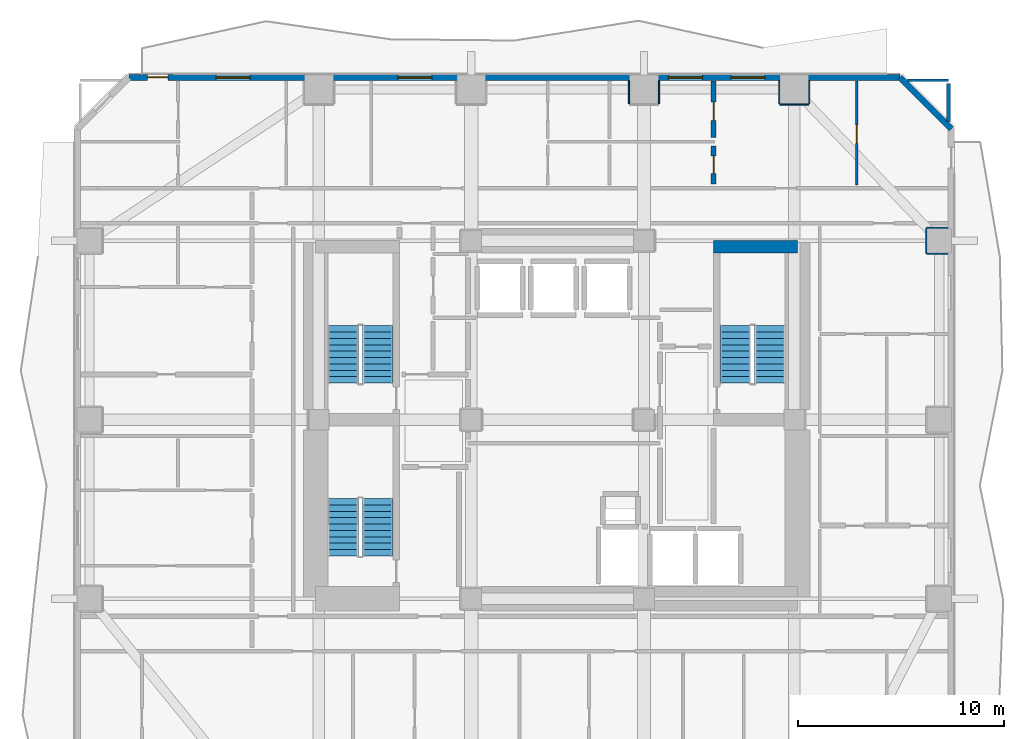
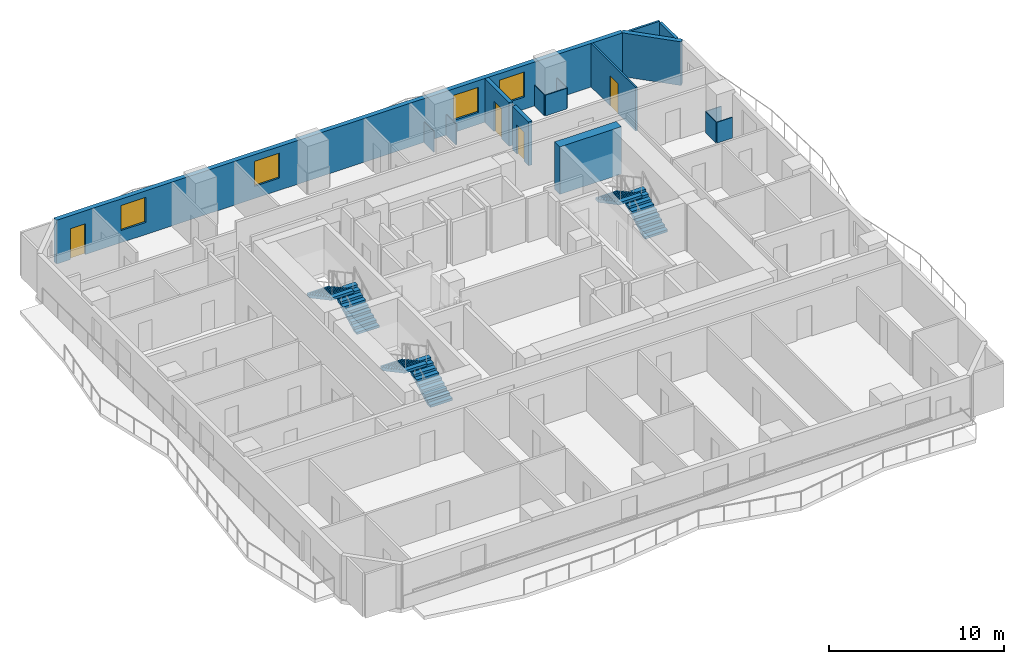
# One storey, part 7 of 11: 16 walls, 6 stair flights, 4 doors, 4 windows, 8 openings, 3 elements without a shape of their own.
"""IFC4 building model written with IfcOpenShell, lengths in metres."""

from ifc_helpers import new_model, si_unit, direction, frame, frame_2d, origin, place, context, subcontext, project, spatial, polyline, rectangle, outline, extrude, material, layer, layer_set, type_object, element, fill, aggregate, save


model = new_model("IFC4")

# Units and contexts
model_context = context("Model", 3, precision=1e-05, world=origin(), true_north=direction((0.0, 1.0)))
body_context = subcontext(model_context, "Body", "Model", "MODEL_VIEW")
ifc_project = project(units=[si_unit("LENGTHUNIT", "METRE"), si_unit("AREAUNIT", "SQUARE_METRE"), si_unit("VOLUMEUNIT", "CUBIC_METRE"), si_unit("PLANEANGLEUNIT", "RADIAN"), si_unit("MASSUNIT", "GRAM", prefix="KILO")], contexts=[model_context])

# Site, building, storey
site_placement = place(None, origin())
site = spatial("IfcSite", under=ifc_project, at=site_placement, CompositionType="ELEMENT")
building_placement = place(site_placement, origin())
building = spatial("IfcBuilding", under=site, at=building_placement, Name="Solanera Arch Residences", CompositionType="ELEMENT")
storey_placement = place(building_placement, frame((0.0, 0.0, 25.320068359375)))
storey = spatial("IfcBuildingStorey", under=building, at=storey_placement, Name="L06", CompositionType="ELEMENT", Elevation=25.320068359375)

# Walls
ifc_material_1 = material(Name="Fire-Rated Gypsum Stud Partition", Category="gypsum")
ifc_layer_1 = layer(ifc_material_1, 0.06005859375)
ifc_layer_set_1 = layer_set([ifc_layer_1], Name="Fire-Rated Gypsum Stud Partition")
wall_type_1 = type_object("IfcWallType", Name="Column Acoustic Furring Wall 60", PredefinedType="PARTITIONING", material=ifc_layer_set_1)
for number, where, z_axis, x_axis, name in (
    (1, (28.468017578125, 46.050048828125, 0.0), (0.0, 0.0, 1.0), (0.0, 1.0, 0.0), "L06 Column Furring 14W"),
    (2, (29.931884765625, 46.050048828125, 0.0), (0.0, 0.0, 1.0), (0.0, 1.0, 0.0), "L06 Column Furring 14E"),
):
    element("IfcWall", number, at=place(storey_placement, frame(where, z_axis=z_axis, x_axis=x_axis)), inside=storey, type_object=wall_type_1, Name=name, PredefinedType="PARTITIONING", context=body_context, shape_type="SweptSolid", body=[
        extrude(rectangle(XDim=1.119873046875, YDim=0.06005859375, at=frame_2d((0.56005859375, 0.0))), origin(), (0.0, 0.0, 1.0), 1.449951171875),
    ])
wall_1_placement = place(storey_placement, frame((35.800048828125, 46.01806640625, 0.0), z_axis=(0.0, 0.0, 1.0), x_axis=(1.0, 0.0, 0.0)))
element("IfcWall", 3, at=wall_1_placement, inside=storey, type_object=wall_type_1, Name="L06 Column Furring 16S", PredefinedType="PARTITIONING", context=body_context, shape_type="SweptSolid", body=[
    extrude(rectangle(XDim=1.39990234375, YDim=0.06005859375, at=frame_2d((0.699951171875, 0.0))), origin(), (0.0, 0.0, 1.0), 1.449951171875),
])
for number, where, z_axis, x_axis, name in (
    (4, (35.76806640625, 46.050048828125, 0.0), (0.0, 0.0, 1.0), (0.0, 1.0, 0.0), "L06 Column Furring 16W"),
    (5, (37.23193359375, 46.050048828125, 0.0), (0.0, 0.0, 1.0), (0.0, 1.0, 0.0), "L06 Column Furring 16E"),
):
    element("IfcWall", number, at=place(storey_placement, frame(where, z_axis=z_axis, x_axis=x_axis)), inside=storey, type_object=wall_type_1, Name=name, PredefinedType="PARTITIONING", context=body_context, shape_type="SweptSolid", body=[
        extrude(rectangle(XDim=1.119873046875, YDim=0.06005859375, at=frame_2d((0.56005859375, 0.0))), origin(), (0.0, 0.0, 1.0), 1.449951171875),
    ])
for number, where, z_axis, x_axis, name in (
    (6, (42.949951171875, 38.76806640625, 0.0), (0.0, 0.0, 1.0), (1.0, 0.0, 0.0), "L06 Column Furring 22S"),
    (7, (42.949951171875, 40.031982421875, 0.0), (0.0, 0.0, 1.0), (1.0, 0.0, 0.0), "L06 Column Furring 22N"),
):
    element("IfcWall", number, at=place(storey_placement, frame(where, z_axis=z_axis, x_axis=x_axis)), inside=storey, type_object=wall_type_1, Name=name, PredefinedType="PARTITIONING", context=body_context, shape_type="SweptSolid", body=[
        extrude(rectangle(XDim=1.02001953125, YDim=0.06005859375, at=frame_2d((0.510009765625, 0.0))), origin(), (0.0, 0.0, 1.0), 1.449951171875),
    ])
wall_2_placement = place(storey_placement, frame((42.91796875, 38.800048828125, 0.0), z_axis=(0.0, 0.0, 1.0), x_axis=(0.0, 1.0, 0.0)))
element("IfcWall", 8, at=wall_2_placement, inside=storey, type_object=wall_type_1, Name="L06 Column Furring 22W", PredefinedType="PARTITIONING", context=body_context, shape_type="SweptSolid", body=[
    extrude(rectangle(XDim=1.199951171875, YDim=0.06005859375, at=frame_2d((0.60009765625, 0.0))), origin(), (0.0, 0.0, 1.0), 1.449951171875),
])
ifc_material_2 = material(Name="Concrete C40/50 (f'c = 45 MPa)", Category="concrete")
ifc_layer_2 = layer(ifc_material_2, 0.60009765625)
ifc_layer_set_2 = layer_set([ifc_layer_2], Name="Concrete C40/50 (f'c = 45 MPa)")
wall_type_2 = type_object("IfcWallType", Name="Core Shear Wall CW-600", PredefinedType="SHEAR", material=ifc_layer_set_2)
wall_3_placement = place(storey_placement, frame((32.580078125, 39.10009765625, 0.0), z_axis=(0.0, 0.0, 1.0), x_axis=(1.0, 0.0, 0.0)))
element("IfcWall", 9, at=wall_3_placement, inside=storey, type_object=wall_type_2, Name="L06 North-East Core Shear Wall", PredefinedType="SHEAR", context=body_context, shape_type="SweptSolid", body=[
    extrude(rectangle(XDim=4.079833984375, YDim=0.60009765625, at=frame_2d((2.0400390625, 0.0))), origin(), (0.0, 0.0, 1.0), 3.31982421875),
])
ifc_material_3 = material(Name="Autoclaved Aerated Concrete Blockwork", Category="masonry")
ifc_layer_3 = layer(ifc_material_3, 0.179931640625)
ifc_layer_set_3 = layer_set([ifc_layer_3], Name="Autoclaved Aerated Concrete Blockwork")
wall_type_3 = type_object("IfcWallType", Name="Corridor Fire Partition 180", PredefinedType="PARTITIONING", material=ifc_layer_set_3)
wall_4_placement = place(storey_placement, frame((44.0, 45.198974609375, 0.0), z_axis=(0.0, 0.0, 1.0), x_axis=(0.0, 1.0, 0.0)))
element("IfcWall", 10, at=wall_4_placement, inside=storey, type_object=wall_type_3, Name="L06 Interior Partition V10 2", PredefinedType="PARTITIONING", context=body_context, shape_type="SweptSolid", body=[
    extrude(rectangle(XDim=1.8330078125, YDim=0.179931640625, at=frame_2d((0.91650390625, 0.0))), origin(), (0.0, 0.0, 1.0), 3.059814453125),
])

# Wall, openings, door, windows
ifc_material_4 = material(Name="Precast Concrete C35/45", Category="concrete")
ifc_layer_4 = layer(ifc_material_4, 0.300048828125)
ifc_layer_set_4 = layer_set([ifc_layer_4], Name="Precast Concrete C35/45")
wall_type_4 = type_object("IfcWallType", Name="Exterior Wall Precast Masonry-Frame 300", PredefinedType="STANDARD", material=ifc_layer_set_4)
wall_5_placement = place(storey_placement, frame((4.1650390625, 47.3349609375, 0.0), z_axis=(0.0, 0.0, 1.0), x_axis=(1.0, 0.0, 0.0)))
wall_5 = element("IfcWall", 11, at=wall_5_placement, inside=storey, type_object=wall_type_4, Name="L06 Tower Exterior Precast Masonry-Frame Wall N", PredefinedType="STANDARD", context=body_context, shape_type="SweptSolid", body=[
    extrude(rectangle(XDim=37.469970703125, YDim=0.300048828125, at=frame_2d((18.73486328125, 0.0))), origin(), (0.0, 0.0, 1.0), 3.059814453125),
])
opening_1_placement = place(wall_5_placement, frame((0.90087890625, 0.0, 0.0)))
opening_1 = element("IfcOpeningElement", 12, at=opening_1_placement, cuts=wall_5, Name="Opening DB-01", PredefinedType="OPENING", context=body_context, shape_type="SweptSolid", body=[
    extrude(rectangle(XDim=1.0, YDim=2.14990234375, at=frame_2d((0.5, 1.074951171875))), frame((0.0, 0.159912109375, 0.0), z_axis=(0.0, -1.0, 0.0), x_axis=(1.0, 0.0, 0.0)), (0.0, 0.0, 1.0), 0.32),
])
opening_2_placement = place(wall_5_placement, frame((4.242919921875, 0.0, 0.85009765625)))
opening_2 = element("IfcOpeningElement", 13, at=opening_2_placement, cuts=wall_5, Name="Opening W-08", PredefinedType="OPENING", context=body_context, shape_type="SweptSolid", body=[
    extrude(rectangle(XDim=1.64990234375, YDim=1.75, at=frame_2d((0.824951171875, 0.875))), frame((0.0, 0.159912109375, 0.0), z_axis=(0.0, -1.0, 0.0), x_axis=(1.0, 0.0, 0.0)), (0.0, 0.0, 1.0), 0.32),
])
opening_3_placement = place(wall_5_placement, frame((13.0791015625, 0.0, 0.85009765625)))
opening_3 = element("IfcOpeningElement", 14, at=opening_3_placement, cuts=wall_5, Name="Opening W-08", PredefinedType="OPENING", context=body_context, shape_type="SweptSolid", body=[
    extrude(rectangle(XDim=1.64990234375, YDim=1.75, at=frame_2d((0.824951171875, 0.875))), frame((0.0, 0.159912109375, 0.0), z_axis=(0.0, -1.0, 0.0), x_axis=(1.0, 0.0, 0.0)), (0.0, 0.0, 1.0), 0.32),
])
opening_4_placement = place(wall_5_placement, frame((29.27392578125, 0.0, 0.85009765625)))
opening_4 = element("IfcOpeningElement", 15, at=opening_4_placement, cuts=wall_5, Name="Opening W-08", PredefinedType="OPENING", context=body_context, shape_type="SweptSolid", body=[
    extrude(rectangle(XDim=1.64990234375, YDim=1.75, at=frame_2d((0.824951171875, 0.875))), frame((0.0, 0.159912109375, 0.0), z_axis=(0.0, -1.0, 0.0), x_axis=(1.0, 0.0, 0.0)), (0.0, 0.0, 1.0), 0.32),
])
opening_5_placement = place(wall_5_placement, frame((26.22412109375, 0.0, 0.85009765625)))
opening_5 = element("IfcOpeningElement", 16, at=opening_5_placement, cuts=wall_5, Name="Opening W-08", PredefinedType="OPENING", context=body_context, shape_type="SweptSolid", body=[
    extrude(rectangle(XDim=1.64990234375, YDim=1.75, at=frame_2d((0.824951171875, 0.875))), frame((0.0, 0.159912109375, 0.0), z_axis=(0.0, -1.0, 0.0), x_axis=(1.0, 0.0, 0.0)), (0.0, 0.0, 1.0), 0.32),
])
ifc_material_5 = material(Name="Anodised Aluminium Alloy 6063-T6", Category="aluminium")
door_type_1 = type_object("IfcDoorType", Name="Glazed Balcony Swing Door DB-01", OperationType="NOTDEFINED", PredefinedType="DOOR", material=ifc_material_5)
door_1_placement = place(opening_1_placement, origin())
door_1 = element("IfcDoor", 17, at=door_1_placement, inside=storey, type_object=door_type_1, Name="DR-L06-OUT-02", OperationType="SINGLE_SWING_LEFT", OverallHeight=2.14990234375, OverallWidth=1.0, PredefinedType="DOOR", context=body_context, shape_type="SweptSolid", body=[
    extrude(rectangle(XDim=1.0, YDim=2.14990234375, at=frame_2d((0.5, 1.074951171875))), frame((0.0, 0.02490234375, 0.0), z_axis=(0.0, -1.0, 0.0), x_axis=(1.0, 0.0, 0.0)), (0.0, 0.0, 1.0), 0.050048828125),
])
fill(opening_1, door_1)
ifc_material_6 = material(Name="Double Glazed Low-E Laminated Glass", Category="glass")
window_type = type_object("IfcWindowType", Name="Punched Window W-08", PartitioningType="DOUBLE_PANEL_HORIZONTAL", PredefinedType="WINDOW", material=ifc_material_6)
window_1_placement = place(opening_2_placement, origin())
window_1 = element("IfcWindow", 18, at=window_1_placement, inside=storey, type_object=window_type, Name="L06 0605-LIV Punched Window", OverallHeight=1.75, OverallWidth=1.64990234375, PartitioningType="SINGLE_PANEL", PredefinedType="WINDOW", context=body_context, shape_type="SweptSolid", body=[
    extrude(rectangle(XDim=1.64990234375, YDim=1.75, at=frame_2d((0.824951171875, 0.875))), frame((0.0, 0.030029296875, 0.0), z_axis=(0.0, -1.0, 0.0), x_axis=(1.0, 0.0, 0.0)), (0.0, 0.0, 1.0), 0.06005859375),
])
fill(opening_2, window_1)
window_2_placement = place(opening_3_placement, origin())
window_2 = element("IfcWindow", 19, at=window_2_placement, inside=storey, type_object=window_type, Name="L06 0606-LIV Punched Window", OverallHeight=1.75, OverallWidth=1.64990234375, PartitioningType="SINGLE_PANEL", PredefinedType="WINDOW", context=body_context, shape_type="SweptSolid", body=[
    extrude(rectangle(XDim=1.64990234375, YDim=1.75, at=frame_2d((0.824951171875, 0.875))), frame((0.0, 0.030029296875, 0.0), z_axis=(0.0, -1.0, 0.0), x_axis=(1.0, 0.0, 0.0)), (0.0, 0.0, 1.0), 0.06005859375),
])
fill(opening_3, window_2)
window_3_placement = place(opening_4_placement, origin())
window_3 = element("IfcWindow", 20, at=window_3_placement, inside=storey, type_object=window_type, Name="L06 0607-LIV Punched Window", OverallHeight=1.75, OverallWidth=1.64990234375, PartitioningType="SINGLE_PANEL", PredefinedType="WINDOW", context=body_context, shape_type="SweptSolid", body=[
    extrude(rectangle(XDim=1.64990234375, YDim=1.75, at=frame_2d((0.824951171875, 0.875))), frame((0.0, 0.030029296875, 0.0), z_axis=(0.0, -1.0, 0.0), x_axis=(1.0, 0.0, 0.0)), (0.0, 0.0, 1.0), 0.06005859375),
])
fill(opening_4, window_3)
window_4_placement = place(opening_5_placement, origin())
window_4 = element("IfcWindow", 21, at=window_4_placement, inside=storey, type_object=window_type, Name="L06 0607-BR1 Punched Window", OverallHeight=1.75, OverallWidth=1.64990234375, PartitioningType="SINGLE_PANEL", PredefinedType="WINDOW", context=body_context, shape_type="SweptSolid", body=[
    extrude(rectangle(XDim=1.64990234375, YDim=1.75, at=frame_2d((0.824951171875, 0.875))), frame((0.0, 0.030029296875, 0.0), z_axis=(0.0, -1.0, 0.0), x_axis=(1.0, 0.0, 0.0)), (0.0, 0.0, 1.0), 0.06005859375),
])
fill(opening_5, window_4)

# Wall
wall_6_placement = place(storey_placement, frame((41.635009765625, 47.3349609375, 0.0), z_axis=(0.0, 0.0, 1.0), x_axis=(0.707106781187, -0.707106781187, 0.0)))
element("IfcWall", 22, at=wall_6_placement, inside=storey, type_object=wall_type_4, Name="L06 Tower Exterior Precast Masonry-Frame Wall CH3", PredefinedType="STANDARD", context=body_context, shape_type="SweptSolid", body=[
    extrude(rectangle(XDim=3.53564453125, YDim=0.300048828125, at=frame_2d((1.767822265625, 0.0))), origin(), (0.0, 0.0, 1.0), 3.059814453125),
])

# Wall, opening, door
ifc_material_7 = material(Name="Autoclaved Aerated Concrete Blockwork", Category="masonry")
ifc_layer_5 = layer(ifc_material_7, 0.239990234375)
ifc_layer_set_5 = layer_set([ifc_layer_5], Name="Autoclaved Aerated Concrete Blockwork")
wall_type_5 = type_object("IfcWallType", Name="Shaft Wall Fire-Rated 240", PredefinedType="PARTITIONING", material=ifc_layer_set_5)
wall_7_placement = place(storey_placement, frame((32.580078125, 42.16796875, 0.0), z_axis=(0.0, 0.0, 1.0), x_axis=(0.0, 1.0, 0.0)))
wall_7 = element("IfcWall", 23, at=wall_7_placement, inside=storey, type_object=wall_type_5, Name="L06 Interior Partition V6 1", PredefinedType="PARTITIONING", context=body_context, shape_type="SweptSolid", body=[
    extrude(rectangle(XDim=1.842041015625, YDim=0.239990234375, at=frame_2d((0.9208984375, 0.0))), origin(), (0.0, 0.0, 1.0), 3.059814453125),
])
opening_6_placement = place(wall_7_placement, frame((0.493896484375, 0.0, 0.0)))
opening_6 = element("IfcOpeningElement", 24, at=opening_6_placement, cuts=wall_7, Name="Opening DI-05", PredefinedType="OPENING", context=body_context, shape_type="SweptSolid", body=[
    extrude(rectangle(XDim=0.860107421875, YDim=2.02001953125, at=frame_2d((0.43017578125, 1.010009765625))), frame((0.0, 0.1298828125, 0.0), z_axis=(0.0, -1.0, 0.0), x_axis=(1.0, 0.0, 0.0)), (0.0, 0.0, 1.0), 0.26),
])
ifc_material_8 = material(Name="Fire-Rated Architectural Hardwood", Category="wood")
door_type_2 = type_object("IfcDoorType", Name="Bathroom Swing Door DI-05", OperationType="NOTDEFINED", PredefinedType="DOOR", material=ifc_material_8)
door_2_placement = place(opening_6_placement, origin())
door_2 = element("IfcDoor", 25, at=door_2_placement, inside=storey, type_object=door_type_2, Name="DR-L06-IN-035", OperationType="SINGLE_SWING_LEFT", OverallHeight=2.02001953125, OverallWidth=0.860107421875, PredefinedType="DOOR", context=body_context, shape_type="SweptSolid", body=[
    extrude(rectangle(XDim=0.860107421875, YDim=2.02001953125, at=frame_2d((0.43017578125, 1.010009765625))), frame((0.0, 0.02490234375, 0.0), z_axis=(0.0, -1.0, 0.0), x_axis=(1.0, 0.0, 0.0)), (0.0, 0.0, 1.0), 0.050048828125),
])
fill(opening_6, door_2)

wall_8_placement = place(storey_placement, frame((32.580078125, 44.406005859375, 0.0), z_axis=(0.0, 0.0, 1.0), x_axis=(0.0, 1.0, 0.0)))
wall_8 = element("IfcWall", 26, at=wall_8_placement, inside=storey, type_object=wall_type_5, Name="L06 Interior Partition V6 2", PredefinedType="PARTITIONING", context=body_context, shape_type="SweptSolid", body=[
    extrude(rectangle(XDim=2.76708984375, YDim=0.239990234375, at=frame_2d((1.383544921875, 0.0))), origin(), (0.0, 0.0, 1.0), 3.059814453125),
])
opening_7_placement = place(wall_8_placement, frame((0.8349609375, 0.0, 0.0)))
opening_7 = element("IfcOpeningElement", 27, at=opening_7_placement, cuts=wall_8, Name="Opening DI-03", PredefinedType="OPENING", context=body_context, shape_type="SweptSolid", body=[
    extrude(rectangle(XDim=0.89990234375, YDim=2.10009765625, at=frame_2d((0.449951171875, 1.050048828125))), frame((0.0, 0.1298828125, 0.0), z_axis=(0.0, -1.0, 0.0), x_axis=(1.0, 0.0, 0.0)), (0.0, 0.0, 1.0), 0.26),
])
ifc_material_9 = material(Name="Fire-Rated Architectural Hardwood", Category="wood")
door_type_3 = type_object("IfcDoorType", Name="Bedroom Swing Door DI-03", OperationType="NOTDEFINED", PredefinedType="DOOR", material=ifc_material_9)
door_3_placement = place(opening_7_placement, origin())
door_3 = element("IfcDoor", 28, at=door_3_placement, inside=storey, type_object=door_type_3, Name="DR-L06-IN-036", OperationType="SINGLE_SWING_RIGHT", OverallHeight=2.10009765625, OverallWidth=0.89990234375, PredefinedType="DOOR", context=body_context, shape_type="SweptSolid", body=[
    extrude(rectangle(XDim=0.89990234375, YDim=2.10009765625, at=frame_2d((0.449951171875, 1.050048828125))), frame((0.0, 0.02490234375, 0.0), z_axis=(0.0, -1.0, 0.0), x_axis=(1.0, 0.0, 0.0)), (0.0, 0.0, 1.0), 0.050048828125),
])
fill(opening_7, door_3)

ifc_material_10 = material(Name="Fire-Rated Gypsum Stud Partition", Category="gypsum")
ifc_layer_6 = layer(ifc_material_10, 0.1201171875)
ifc_layer_set_6 = layer_set([ifc_layer_6], Name="Fire-Rated Gypsum Stud Partition")
wall_type_6 = type_object("IfcWallType", Name="Unit Drywall Partition 120", PredefinedType="PARTITIONING", material=ifc_layer_set_6)
wall_9_placement = place(storey_placement, frame((39.550048828125, 42.10791015625, 0.0), z_axis=(0.0, 0.0, 1.0), x_axis=(0.0, 1.0, 0.0)))
wall_9 = element("IfcWall", 29, at=wall_9_placement, inside=storey, type_object=wall_type_6, Name="L06 Interior Partition V31", PredefinedType="PARTITIONING", context=body_context, shape_type="SweptSolid", body=[
    extrude(rectangle(XDim=5.065185546875, YDim=0.1201171875, at=frame_2d((2.53271484375, 0.0))), origin(), (0.0, 0.0, 1.0), 3.059814453125),
])
opening_8_placement = place(wall_9_placement, frame((2.01708984375, 0.0, 0.0)))
opening_8 = element("IfcOpeningElement", 30, at=opening_8_placement, cuts=wall_9, Name="Opening DI-02", PredefinedType="OPENING", context=body_context, shape_type="SweptSolid", body=[
    extrude(rectangle(XDim=0.89990234375, YDim=2.10009765625, at=frame_2d((0.449951171875, 1.050048828125))), frame((0.0, 0.070068359375, 0.0), z_axis=(0.0, -1.0, 0.0), x_axis=(1.0, 0.0, 0.0)), (0.0, 0.0, 1.0), 0.1401),
])
ifc_material_11 = material(Name="Fire-Rated Architectural Hardwood", Category="wood")
door_type_4 = type_object("IfcDoorType", Name="Suite Room Swing Door DI-02", OperationType="NOTDEFINED", PredefinedType="DOOR", material=ifc_material_11)
door_4_placement = place(opening_8_placement, origin())
door_4 = element("IfcDoor", 31, at=door_4_placement, inside=storey, type_object=door_type_4, Name="DR-L06-IN-037", OperationType="SINGLE_SWING_LEFT", OverallHeight=2.10009765625, OverallWidth=0.89990234375, PredefinedType="DOOR", context=body_context, shape_type="SweptSolid", body=[
    extrude(rectangle(XDim=0.89990234375, YDim=2.10009765625, at=frame_2d((0.449951171875, 1.050048828125))), frame((0.0, 0.02490234375, 0.0), z_axis=(0.0, -1.0, 0.0), x_axis=(1.0, 0.0, 0.0)), (0.0, 0.0, 1.0), 0.050048828125),
])
fill(opening_8, door_4)

# Wall
ifc_material_12 = material(Name="Autoclaved Aerated Concrete Blockwork", Category="masonry")
ifc_layer_7 = layer(ifc_material_12, 0.139892578125)
ifc_layer_set_7 = layer_set([ifc_layer_7], Name="Autoclaved Aerated Concrete Blockwork")
wall_type_7 = type_object("IfcWallType", Name="Wet-Room Partition 140", PredefinedType="PARTITIONING", material=ifc_layer_set_7)
wall_10_placement = place(storey_placement, frame((41.9990234375, 47.199951171875, 0.0), z_axis=(0.0, 0.0, 1.0), x_axis=(1.0, 0.0, 0.0)))
element("IfcWall", 32, at=wall_10_placement, inside=storey, type_object=wall_type_7, Name="L06 Interior Partition H26 2", PredefinedType="PARTITIONING", context=body_context, shape_type="SweptSolid", body=[
    extrude(rectangle(XDim=2.0009765625, YDim=0.139892578125, at=frame_2d((1.00048828125, 0.0))), origin(), (0.0, 0.0, 1.0), 3.059814453125),
])

# Stair, stair flights
ifc_material_13 = material(Name="Concrete C40/50 (f'c = 45 MPa)", Category="concrete")
stair_type = type_object("IfcStairType", Name="Tower Dogleg Exit Stair 1480", PredefinedType="HALF_TURN_STAIR", material=ifc_material_13)
stair_1_placement = place(storey_placement, origin())
stair_1 = element("IfcStair", 33, at=stair_1_placement, inside=storey, type_object=stair_type, Name="L06 Tower Core Exit Stair 1", PredefinedType="HALF_TURN_STAIR")
ifc_material_14 = material(Name="Concrete C40/50 (f'c = 45 MPa)", Category="concrete")
stair_flight_type = type_object("IfcStairFlightType", Name="Tower Precast Stair Flight 1480", PredefinedType="STRAIGHT", material=ifc_material_14)
stair_flight_1_placement = place(storey_placement, frame((16.260009765625, 32.47998046875, 0.0), z_axis=(0.0, 0.0, 1.0), x_axis=(0.0, 1.0, 0.0)))
stair_flight_1 = element("IfcStairFlight", 34, at=stair_flight_1_placement, type_object=stair_flight_type, Name="ST-T1 flight 1", NumberOfRisers=10, NumberOfTreads=9, PredefinedType="STRAIGHT", RiserHeight=0.166, TreadLength=0.31, context=body_context, shape_type="SweptSolid", body=[
    extrude(outline(polyline([(0.0, 0.0), (0.0, 0.166015625), (0.31005859375, 0.166015625), (0.31005859375, 0.33203125), (0.6201171875, 0.33203125), (0.6201171875, 0.498046875), (0.929931640625, 0.498046875), (0.929931640625, 0.6640625), (1.239990234375, 0.6640625), (1.239990234375, 0.830078125), (1.550048828125, 0.830078125), (1.550048828125, 0.99609375), (1.860107421875, 0.99609375), (1.860107421875, 1.162109375), (2.169921875, 1.162109375), (2.169921875, 1.327880859375), (2.47998046875, 1.327880859375), (2.47998046875, 1.493896484375), (2.7900390625, 1.493896484375), (2.7900390625, 1.659912109375), (2.7900390625, 1.323974609375), (0.317626953125, 0.0), (0.0, 0.0)])), frame((0.0, 0.739990234375, 0.0), z_axis=(0.0, -1.0, 0.0), x_axis=(1.0, 0.0, 0.0)), (0.0, 0.0, 1.0), 1.47998046875),
])
stair_flight_2_placement = place(storey_placement, frame((14.580078125, 35.27001953125, 1.659912109375), z_axis=(0.0, 0.0, 1.0), x_axis=(0.0, -1.0, 0.0)))
stair_flight_2 = element("IfcStairFlight", 35, at=stair_flight_2_placement, type_object=stair_flight_type, Name="ST-T1 flight 2", NumberOfRisers=10, NumberOfTreads=9, PredefinedType="STRAIGHT", RiserHeight=0.166, TreadLength=0.31, context=body_context, shape_type="SweptSolid", body=[
    extrude(outline(polyline([(0.0, 0.0), (0.0, 0.166015625), (0.31005859375, 0.166015625), (0.31005859375, 0.33203125), (0.6201171875, 0.33203125), (0.6201171875, 0.498046875), (0.929931640625, 0.498046875), (0.929931640625, 0.6640625), (1.239990234375, 0.6640625), (1.239990234375, 0.830078125), (1.550048828125, 0.830078125), (1.550048828125, 0.99609375), (1.860107421875, 0.99609375), (1.860107421875, 1.162109375), (2.169921875, 1.162109375), (2.169921875, 1.327880859375), (2.47998046875, 1.327880859375), (2.47998046875, 1.493896484375), (2.7900390625, 1.493896484375), (2.7900390625, 1.659912109375), (2.7900390625, 1.323974609375), (0.317626953125, 0.0), (0.0, 0.0)])), frame((0.0, 0.739990234375, 0.0), z_axis=(0.0, -1.0, 0.0), x_axis=(1.0, 0.0, 0.0)), (0.0, 0.0, 1.0), 1.47998046875),
])
aggregate(stair_1, [stair_flight_1, stair_flight_2])

stair_2_placement = place(storey_placement, origin())
stair_2 = element("IfcStair", 36, at=stair_2_placement, inside=storey, type_object=stair_type, Name="L06 Tower Core Exit Stair 2", PredefinedType="HALF_TURN_STAIR")
stair_flight_3_placement = place(storey_placement, frame((35.320068359375, 32.47998046875, 0.0), z_axis=(0.0, 0.0, 1.0), x_axis=(0.0, 1.0, 0.0)))
stair_flight_3 = element("IfcStairFlight", 37, at=stair_flight_3_placement, type_object=stair_flight_type, Name="ST-T2 flight 1", NumberOfRisers=10, NumberOfTreads=9, PredefinedType="STRAIGHT", RiserHeight=0.166, TreadLength=0.31, context=body_context, shape_type="SweptSolid", body=[
    extrude(outline(polyline([(0.0, 0.0), (0.0, 0.166015625), (0.31005859375, 0.166015625), (0.31005859375, 0.33203125), (0.6201171875, 0.33203125), (0.6201171875, 0.498046875), (0.929931640625, 0.498046875), (0.929931640625, 0.6640625), (1.239990234375, 0.6640625), (1.239990234375, 0.830078125), (1.550048828125, 0.830078125), (1.550048828125, 0.99609375), (1.860107421875, 0.99609375), (1.860107421875, 1.162109375), (2.169921875, 1.162109375), (2.169921875, 1.327880859375), (2.47998046875, 1.327880859375), (2.47998046875, 1.493896484375), (2.7900390625, 1.493896484375), (2.7900390625, 1.659912109375), (2.7900390625, 1.323974609375), (0.317626953125, 0.0), (0.0, 0.0)])), frame((0.0, 0.739990234375, 0.0), z_axis=(0.0, -1.0, 0.0), x_axis=(1.0, 0.0, 0.0)), (0.0, 0.0, 1.0), 1.47998046875),
])
stair_flight_4_placement = place(storey_placement, frame((33.639892578125, 35.27001953125, 1.659912109375), z_axis=(0.0, 0.0, 1.0), x_axis=(0.0, -1.0, 0.0)))
stair_flight_4 = element("IfcStairFlight", 38, at=stair_flight_4_placement, type_object=stair_flight_type, Name="ST-T2 flight 2", NumberOfRisers=10, NumberOfTreads=9, PredefinedType="STRAIGHT", RiserHeight=0.166, TreadLength=0.31, context=body_context, shape_type="SweptSolid", body=[
    extrude(outline(polyline([(0.0, 0.0), (0.0, 0.166015625), (0.31005859375, 0.166015625), (0.31005859375, 0.33203125), (0.6201171875, 0.33203125), (0.6201171875, 0.498046875), (0.929931640625, 0.498046875), (0.929931640625, 0.6640625), (1.239990234375, 0.6640625), (1.239990234375, 0.830078125), (1.550048828125, 0.830078125), (1.550048828125, 0.99609375), (1.860107421875, 0.99609375), (1.860107421875, 1.162109375), (2.169921875, 1.162109375), (2.169921875, 1.327880859375), (2.47998046875, 1.327880859375), (2.47998046875, 1.493896484375), (2.7900390625, 1.493896484375), (2.7900390625, 1.659912109375), (2.7900390625, 1.323974609375), (0.317626953125, 0.0), (0.0, 0.0)])), frame((0.0, 0.739990234375, 0.0), z_axis=(0.0, -1.0, 0.0), x_axis=(1.0, 0.0, 0.0)), (0.0, 0.0, 1.0), 1.47998046875),
])
aggregate(stair_2, [stair_flight_3, stair_flight_4])

stair_3_placement = place(storey_placement, origin())
stair_3 = element("IfcStair", 39, at=stair_3_placement, inside=storey, type_object=stair_type, Name="L06 Tower Core Exit Stair 3", PredefinedType="HALF_TURN_STAIR")
stair_flight_5_placement = place(storey_placement, frame((16.260009765625, 24.080078125, 0.0), z_axis=(0.0, 0.0, 1.0), x_axis=(0.0, 1.0, 0.0)))
stair_flight_5 = element("IfcStairFlight", 40, at=stair_flight_5_placement, type_object=stair_flight_type, Name="ST-T3 flight 1", NumberOfRisers=10, NumberOfTreads=9, PredefinedType="STRAIGHT", RiserHeight=0.166, TreadLength=0.31, context=body_context, shape_type="SweptSolid", body=[
    extrude(outline(polyline([(0.0, 0.0), (0.0, 0.166015625), (0.31005859375, 0.166015625), (0.31005859375, 0.33203125), (0.6201171875, 0.33203125), (0.6201171875, 0.498046875), (0.929931640625, 0.498046875), (0.929931640625, 0.6640625), (1.239990234375, 0.6640625), (1.239990234375, 0.830078125), (1.550048828125, 0.830078125), (1.550048828125, 0.99609375), (1.860107421875, 0.99609375), (1.860107421875, 1.162109375), (2.169921875, 1.162109375), (2.169921875, 1.327880859375), (2.47998046875, 1.327880859375), (2.47998046875, 1.493896484375), (2.7900390625, 1.493896484375), (2.7900390625, 1.659912109375), (2.7900390625, 1.323974609375), (0.317626953125, 0.0), (0.0, 0.0)])), frame((0.0, 0.739990234375, 0.0), z_axis=(0.0, -1.0, 0.0), x_axis=(1.0, 0.0, 0.0)), (0.0, 0.0, 1.0), 1.47998046875),
])
stair_flight_6_placement = place(storey_placement, frame((14.580078125, 26.8701171875, 1.659912109375), z_axis=(0.0, 0.0, 1.0), x_axis=(0.0, -1.0, 0.0)))
stair_flight_6 = element("IfcStairFlight", 41, at=stair_flight_6_placement, type_object=stair_flight_type, Name="ST-T3 flight 2", NumberOfRisers=10, NumberOfTreads=9, PredefinedType="STRAIGHT", RiserHeight=0.166, TreadLength=0.31, context=body_context, shape_type="SweptSolid", body=[
    extrude(outline(polyline([(0.0, 0.0), (0.0, 0.166015625), (0.31005859375, 0.166015625), (0.31005859375, 0.33203125), (0.6201171875, 0.33203125), (0.6201171875, 0.498046875), (0.929931640625, 0.498046875), (0.929931640625, 0.6640625), (1.239990234375, 0.6640625), (1.239990234375, 0.830078125), (1.550048828125, 0.830078125), (1.550048828125, 0.99609375), (1.860107421875, 0.99609375), (1.860107421875, 1.162109375), (2.169921875, 1.162109375), (2.169921875, 1.327880859375), (2.47998046875, 1.327880859375), (2.47998046875, 1.493896484375), (2.7900390625, 1.493896484375), (2.7900390625, 1.659912109375), (2.7900390625, 1.323974609375), (0.317626953125, 0.0), (0.0, 0.0)])), frame((0.0, 0.739990234375, 0.0), z_axis=(0.0, -1.0, 0.0), x_axis=(1.0, 0.0, 0.0)), (0.0, 0.0, 1.0), 1.47998046875),
])
aggregate(stair_3, [stair_flight_5, stair_flight_6])

save(model, "model.ifc")
